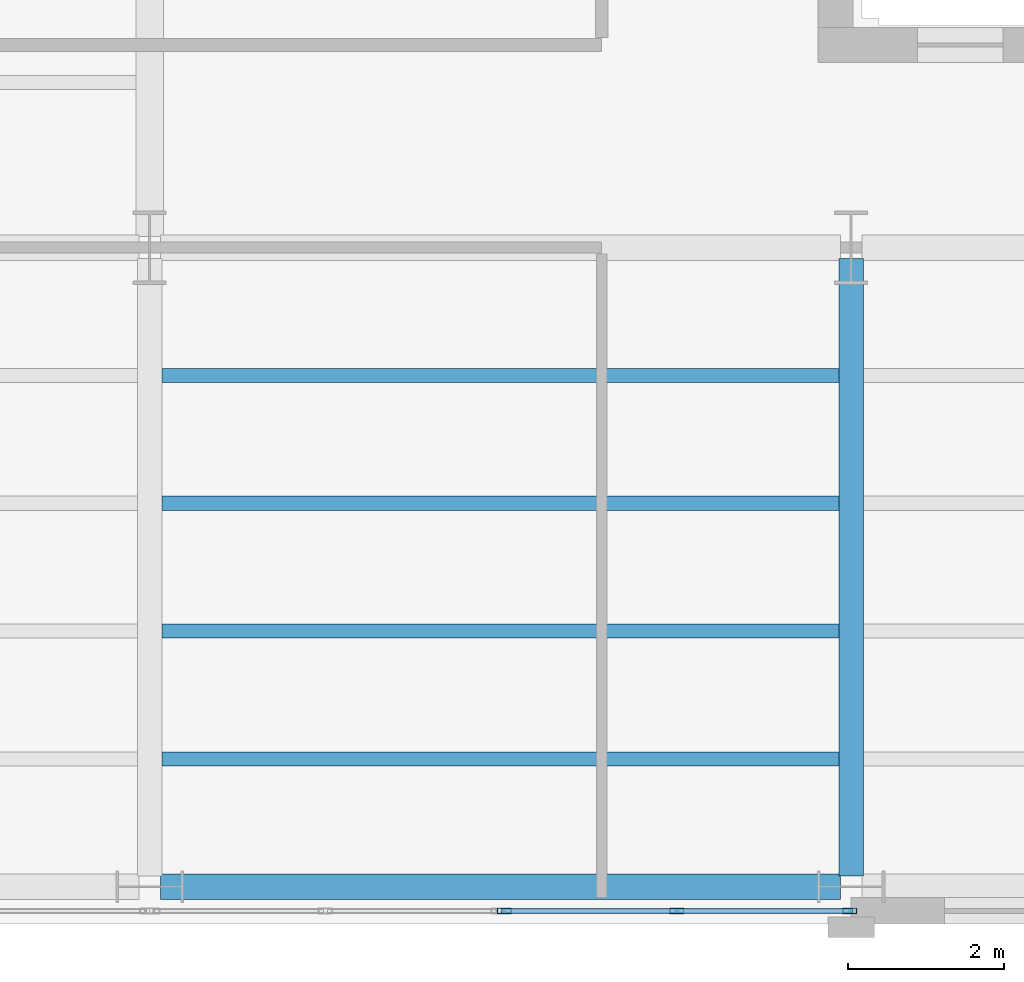
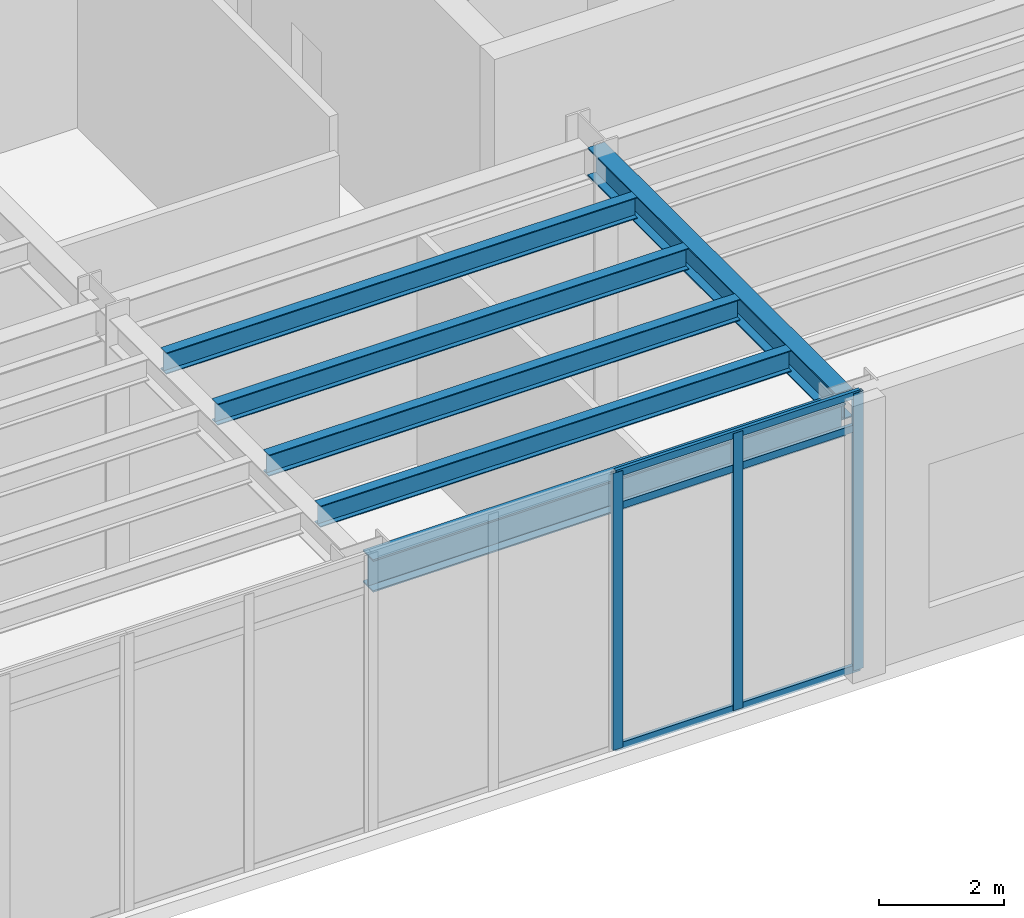
# One storey, part 32 of 98: 6 beams, 6 members, 1 element without a shape of its own.
"""IFC4 building model written with IfcOpenShell, lengths in metres."""

from ifc_helpers import new_model, si_unit, direction, frame, origin, origin_2d, place, context, subcontext, project, spatial, hollow_rectangle, i_section, extrude, material, layer, layer_set, material_profile, profile_set, type_object, element, aggregate, save


model = new_model("IFC4")

# Units and contexts
model_context = context("Model", 3, precision=1e-05, world=origin(), true_north=direction((0.0, 1.0)))
body_context = subcontext(model_context, "Body", "Model", "MODEL_VIEW")
ifc_project = project(units=[si_unit("LENGTHUNIT", "METRE"), si_unit("AREAUNIT", "SQUARE_METRE"), si_unit("VOLUMEUNIT", "CUBIC_METRE"), si_unit("PLANEANGLEUNIT", "RADIAN"), si_unit("MASSUNIT", "GRAM", prefix="KILO")], contexts=[model_context])

# Site, building, storey
site_placement = place(None, origin())
site = spatial("IfcSite", under=ifc_project, at=site_placement, CompositionType="ELEMENT")
building_placement = place(site_placement, origin())
building = spatial("IfcBuilding", under=site, at=building_placement, Name="Sollismere Congress Hotel", CompositionType="ELEMENT")
storey_placement = place(building_placement, frame((0.0, 0.0, 5.39990234375)))
storey = spatial("IfcBuildingStorey", under=building, at=storey_placement, Name="L01", CompositionType="ELEMENT", Elevation=5.39990234375)

# Beams
ifc_material_1 = material(Name="Steel ASTM A992 Grade 50", Category="steel")
ifc_material_profile_1 = material_profile(ifc_material_1, i_section(OverallWidth=0.31494140625, OverallDepth=0.551025390625, WebThickness=0.01513671875, FlangeThickness=0.0244140625, at=origin_2d()), Name="W21X122")
ifc_profile_set_1 = profile_set([ifc_material_profile_1], Name="Steel ASTM A992 Grade 50")
beam_type_1 = type_object("IfcBeamType", Name="BM-G21H", PredefinedType="BEAM", material=ifc_profile_set_1)
beam_1_placement = place(storey_placement, frame((94.0, 0.139892578125, 4.844482421875), z_axis=(0.0, 1.0, 0.0), x_axis=(-1.0, 0.0, 0.0)))
element("IfcBeam", 1, at=beam_1_placement, inside=storey, type_object=beam_type_1, Name="Beam BM-L01-1669", PredefinedType="BEAM", context=body_context, shape_type="SweptSolid", body=[
    extrude(i_section(OverallWidth=0.31494140625, OverallDepth=0.551025390625, WebThickness=0.01513671875, FlangeThickness=0.0244140625, at=origin_2d()), origin(), (0.0, 0.0, 1.0), 7.920166015625),
])
ifc_material_profile_2 = material_profile(ifc_material_1, i_section(OverallWidth=0.180908203125, OverallDepth=0.4169921875, WebThickness=0.010986328125, FlangeThickness=0.018310546875, at=origin_2d()), Name="W16X57")
ifc_profile_set_2 = profile_set([ifc_material_profile_2], Name="Steel ASTM A992 Grade 50")
beam_type_2 = type_object("IfcBeamType", Name="BM-J16", PredefinedType="JOIST", material=ifc_profile_set_2)
for number, where, z_axis, x_axis, name in (
    (2, (85.157470703125, 1.639892578125, 4.91162109375), (1.0, 0.0, 0.0), (0.0, 1.0, 0.0), "Beam BM-L01-1816"),
    (3, (85.157470703125, 3.280029296875, 4.91162109375), (1.0, 0.0, 0.0), (0.0, 1.0, 0.0), "Beam BM-L01-1817"),
    (4, (85.157470703125, 4.919921875, 4.91162109375), (1.0, 0.0, 0.0), (0.0, 1.0, 0.0), "Beam BM-L01-1818"),
    (5, (85.157470703125, 6.56005859375, 4.91162109375), (1.0, 0.0, 0.0), (0.0, 1.0, 0.0), "Beam BM-L01-1819"),
):
    element("IfcBeam", number, at=place(storey_placement, frame(where, z_axis=z_axis, x_axis=x_axis)), inside=storey, type_object=beam_type_2, Name=name, PredefinedType="JOIST", context=body_context, shape_type="SweptSolid", body=[
        extrude(i_section(OverallWidth=0.180908203125, OverallDepth=0.4169921875, WebThickness=0.010986328125, FlangeThickness=0.018310546875, at=origin_2d()), origin(), (0.0, 0.0, 1.0), 8.68505859375),
    ])
ifc_material_profile_3 = material_profile(ifc_material_1, i_section(OverallWidth=0.330078125, OverallDepth=0.635009765625, WebThickness=0.017822265625, FlangeThickness=0.031005859375, at=origin_2d()), Name="W24X162")
ifc_profile_set_3 = profile_set([ifc_material_profile_3], Name="Steel ASTM A992 Grade 50")
beam_type_3 = type_object("IfcBeamType", Name="BM-SP24E", PredefinedType="SPANDREL", material=ifc_profile_set_3)
beam_2_placement = place(storey_placement, frame((85.139892578125, 0.0, 4.802490234375), z_axis=(1.0, 0.0, 0.0), x_axis=(0.0, 1.0, 0.0)))
element("IfcBeam", 6, at=beam_2_placement, inside=storey, type_object=beam_type_3, Name="Beam BM-L01-1528", PredefinedType="SPANDREL", context=body_context, shape_type="SweptSolid", body=[
    extrude(i_section(OverallWidth=0.330078125, OverallDepth=0.635009765625, WebThickness=0.017822265625, FlangeThickness=0.031005859375, at=origin_2d()), origin(), (0.0, 0.0, 1.0), 8.72021484375),
])

# Curtain wall, members
ifc_material_2 = material(Name="Anodized Bronze Curtain Wall & Low-E Triple Glazing", Category="glass")
ifc_layer = layer(ifc_material_2, 0.199951171875, Name="Anodized Bronze Curtain Wall & Low-E Triple Glazing")
ifc_layer_set = layer_set([ifc_layer], Name="Anodized Bronze Curtain Wall & Low-E Triple Glazing")
curtain_wall_type = type_object("IfcCurtainWallType", Name="CW-GLZ36", PredefinedType="USERDEFINED", material=ifc_layer_set)
curtain_wall_placement = place(storey_placement, origin())
curtain_wall = element("IfcCurtainWall", 7, at=curtain_wall_placement, inside=storey, type_object=curtain_wall_type, Name="Unitised curtain wall CW-L01-158", ObjectType="UNITISED CURTAIN WALL", PredefinedType="USERDEFINED")
ifc_material_3 = material(Name="Anodized Aluminum 6063-T6", Category="aluminium")
ifc_material_profile_4 = material_profile(ifc_material_3, hollow_rectangle(XDim=0.074951171875, YDim=0.179931640625, WallThickness=0.0048828125, at=origin_2d()), Name="ALU180X75X5")
ifc_profile_set_4 = profile_set([ifc_material_profile_4], Name="Anodized Aluminum 6063-T6")
member_type_1 = type_object("IfcMemberType", Name="ML-CW180", PredefinedType="MULLION", material=ifc_profile_set_4)
member_1_placement = place(storey_placement, frame((89.548095703125, -0.31005859375, 0.0), z_axis=(0.0, 0.0, 1.0), x_axis=(0.0, 1.0, 0.0)))
member_1 = element("IfcMember", 8, at=member_1_placement, type_object=member_type_1, Name="CWL-CW-L01-158-ML01", PredefinedType="MULLION", context=body_context, shape_type="SweptSolid", body=[
    extrude(hollow_rectangle(XDim=0.074951171875, YDim=0.179931640625, WallThickness=0.0048828125, at=origin_2d()), origin(), (0.0, 0.0, 1.0), 5.400146484375),
])
member_2_placement = place(storey_placement, frame((91.764892578125, -0.31005859375, 0.0), z_axis=(0.0, 0.0, 1.0), x_axis=(0.0, 1.0, 0.0)))
member_2 = element("IfcMember", 9, at=member_2_placement, type_object=member_type_1, Name="CWL-CW-L01-158-ML02", PredefinedType="MULLION", context=body_context, shape_type="SweptSolid", body=[
    extrude(hollow_rectangle(XDim=0.074951171875, YDim=0.179931640625, WallThickness=0.0048828125, at=origin_2d()), origin(), (0.0, 0.0, 1.0), 5.400146484375),
])
member_3_placement = place(storey_placement, frame((93.98193359375, -0.31005859375, 0.0), z_axis=(0.0, 0.0, 1.0), x_axis=(0.0, 1.0, 0.0)))
member_3 = element("IfcMember", 10, at=member_3_placement, type_object=member_type_1, Name="CWL-CW-L01-158-ML03", PredefinedType="MULLION", context=body_context, shape_type="SweptSolid", body=[
    extrude(hollow_rectangle(XDim=0.074951171875, YDim=0.179931640625, WallThickness=0.0048828125, at=origin_2d()), origin(), (0.0, 0.0, 1.0), 5.400146484375),
])
ifc_material_profile_5 = material_profile(ifc_material_3, hollow_rectangle(XDim=0.06494140625, YDim=0.139892578125, WallThickness=0.00390625, at=origin_2d()), Name="ALU140X65X4")
ifc_profile_set_5 = profile_set([ifc_material_profile_5], Name="Anodized Aluminum 6063-T6")
member_type_2 = type_object("IfcMemberType", Name="TR-CW150", PredefinedType="MEMBER", material=ifc_profile_set_5)
member_4_placement = place(storey_placement, frame((89.510009765625, -0.31005859375, 0.03271484375), z_axis=(1.0, 0.0, 0.0), x_axis=(0.0, 1.0, 0.0)))
member_4 = element("IfcMember", 11, at=member_4_placement, type_object=member_type_2, Name="CWL-CW-L01-158-TR1", PredefinedType="MEMBER", context=body_context, shape_type="SweptSolid", body=[
    extrude(hollow_rectangle(XDim=0.06494140625, YDim=0.139892578125, WallThickness=0.00390625, at=origin_2d()), origin(), (0.0, 0.0, 1.0), 4.510009765625),
])
member_5_placement = place(storey_placement, frame((89.510009765625, -0.31005859375, 4.72021484375), z_axis=(1.0, 0.0, 0.0), x_axis=(0.0, 1.0, 0.0)))
member_5 = element("IfcMember", 12, at=member_5_placement, type_object=member_type_2, Name="CWL-CW-L01-158-TR2", PredefinedType="MEMBER", context=body_context, shape_type="SweptSolid", body=[
    extrude(hollow_rectangle(XDim=0.06494140625, YDim=0.139892578125, WallThickness=0.00390625, at=origin_2d()), origin(), (0.0, 0.0, 1.0), 4.510009765625),
])
member_6_placement = place(storey_placement, frame((89.510009765625, -0.31005859375, 5.36767578125), z_axis=(1.0, 0.0, 0.0), x_axis=(0.0, 1.0, 0.0)))
member_6 = element("IfcMember", 13, at=member_6_placement, type_object=member_type_2, Name="CWL-CW-L01-158-TR3", PredefinedType="MEMBER", context=body_context, shape_type="SweptSolid", body=[
    extrude(hollow_rectangle(XDim=0.06494140625, YDim=0.139892578125, WallThickness=0.00390625, at=origin_2d()), origin(), (0.0, 0.0, 1.0), 4.510009765625),
])
aggregate(curtain_wall, [member_1, member_2, member_3, member_4, member_5, member_6])

save(model, "model.ifc")
